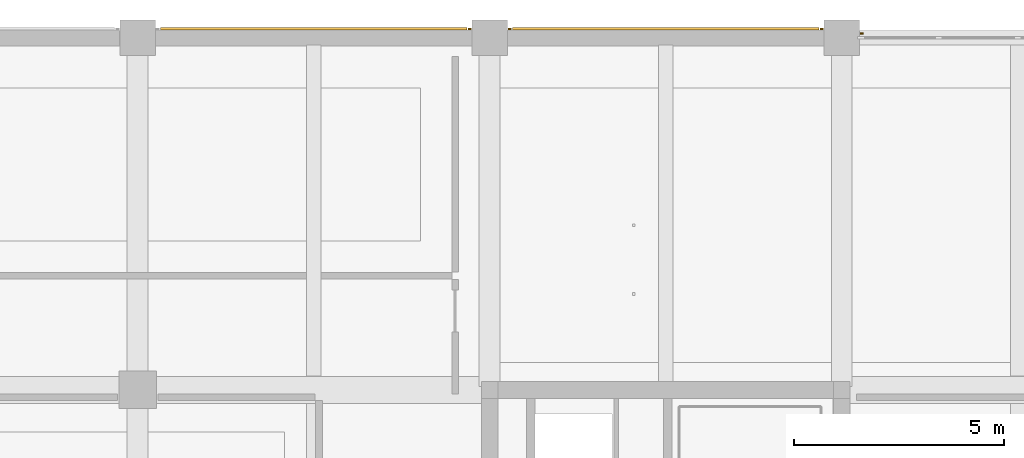
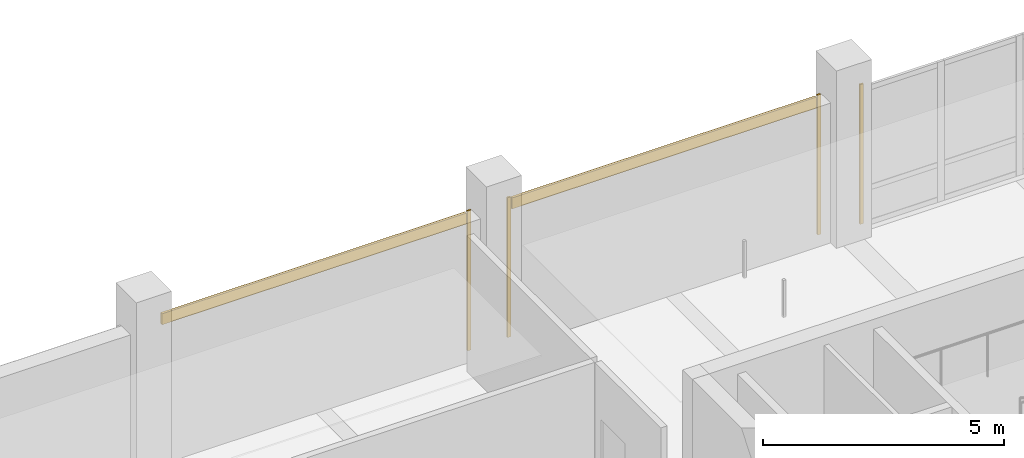
# One storey, part 35 of 36: 6 coverings.
"""IFC4 building model written with IfcOpenShell, lengths in metres."""

from ifc_helpers import new_model, si_unit, direction, frame, origin, origin_2d, place, context, subcontext, project, spatial, rectangle, extrude, material, layer, layer_set, type_object, element, save


model = new_model("IFC4")

# Units and contexts
model_context = context("Model", 3, precision=1e-05, world=origin(), true_north=direction((0.0, 1.0)))
body_context = subcontext(model_context, "Body", "Model", "MODEL_VIEW")
ifc_project = project(units=[si_unit("LENGTHUNIT", "METRE"), si_unit("AREAUNIT", "SQUARE_METRE"), si_unit("VOLUMEUNIT", "CUBIC_METRE"), si_unit("PLANEANGLEUNIT", "RADIAN"), si_unit("MASSUNIT", "GRAM", prefix="KILO")], contexts=[model_context])

# Site, building, storey
site_placement = place(None, origin())
site = spatial("IfcSite", under=ifc_project, at=site_placement, CompositionType="ELEMENT")
building_placement = place(site_placement, origin())
building = spatial("IfcBuilding", under=site, at=building_placement, Name="Telukmera Botanical Conservatory", CompositionType="ELEMENT")
storey_placement = place(building_placement, frame((0.0, 0.0, 24.0)))
storey = spatial("IfcBuildingStorey", under=building, at=storey_placement, Name="L05", CompositionType="ELEMENT", Elevation=24.0)

# Coverings
ifc_material_1 = material(Name="Granite-faced precast concrete C40/50", Category="masonry")
ifc_layer_1 = layer(ifc_material_1, 0.0400390625)
ifc_layer_set_1 = layer_set([ifc_layer_1], Name="Granite-faced precast concrete C40/50")
covering_type_1 = type_object("IfcCoveringType", Name="Granite Precast Column Pier Reveal Casing", PredefinedType="CLADDING", material=ifc_layer_set_1)
for number, where, z_axis, x_axis, name in (
    (1, (91.923095703125, 43.010009765625, 0.0), (0.0, 0.0, 1.0), (1.0, 0.0, 0.0), "Granite Pier Reveal V4:L05:N5 R"),
    (2, (92.876953125, 43.010009765625, 0.0), (0.0, 0.0, 1.0), (1.0, 0.0, 0.0), "Granite Pier Reveal V4:L05:N6 L"),
    (3, (100.322998046875, 43.010009765625, 0.0), (0.0, 0.0, 1.0), (1.0, 0.0, 0.0), "Granite Pier Reveal V4:L05:N6 R"),
    (4, (101.277099609375, 42.89990234375, 0.0), (0.0, 0.0, 1.0), (1.0, 0.0, 0.0), "Granite Pier Reveal V4:L05:N7 L"),
):
    element("IfcCovering", number, at=place(storey_placement, frame(where, z_axis=z_axis, x_axis=x_axis)), inside=storey, type_object=covering_type_1, Name=name, PredefinedType="CLADDING", context=body_context, shape_type="SweptSolid", body=[
        extrude(rectangle(XDim=0.080078125, YDim=0.0400390625, at=origin_2d()), origin(), (0.0, 0.0, 1.0), 3.550048828125),
    ])
ifc_material_2 = material(Name="Terracotta-faced precast concrete C40/50", Category="masonry")
ifc_layer_2 = layer(ifc_material_2, 0.06005859375)
ifc_layer_set_2 = layer_set([ifc_layer_2], Name="Terracotta-faced precast concrete C40/50")
covering_type_2 = type_object("IfcCoveringType", Name="Polychrome Terracotta Facade Band Cladding", PredefinedType="CLADDING", material=ifc_layer_set_2)
for number, where, z_axis, x_axis, name in (
    (5, (88.199951171875, 43.02001953125, 3.22998046875), (0.0, 0.0, 1.0), (1.0, 0.0, 0.0), "Polychrome Terracotta Band V4:L05:N5"),
    (6, (96.60009765625, 43.02001953125, 3.22998046875), (0.0, 0.0, 1.0), (1.0, 0.0, 0.0), "Polychrome Terracotta Band V4:L05:N6"),
):
    element("IfcCovering", number, at=place(storey_placement, frame(where, z_axis=z_axis, x_axis=x_axis)), inside=storey, type_object=covering_type_2, Name=name, PredefinedType="CLADDING", context=body_context, shape_type="SweptSolid", body=[
        extrude(rectangle(XDim=7.305908203125, YDim=0.06005859375, at=origin_2d()), origin(), (0.0, 0.0, 1.0), 0.280029296875),
    ])

save(model, "model.ifc")
